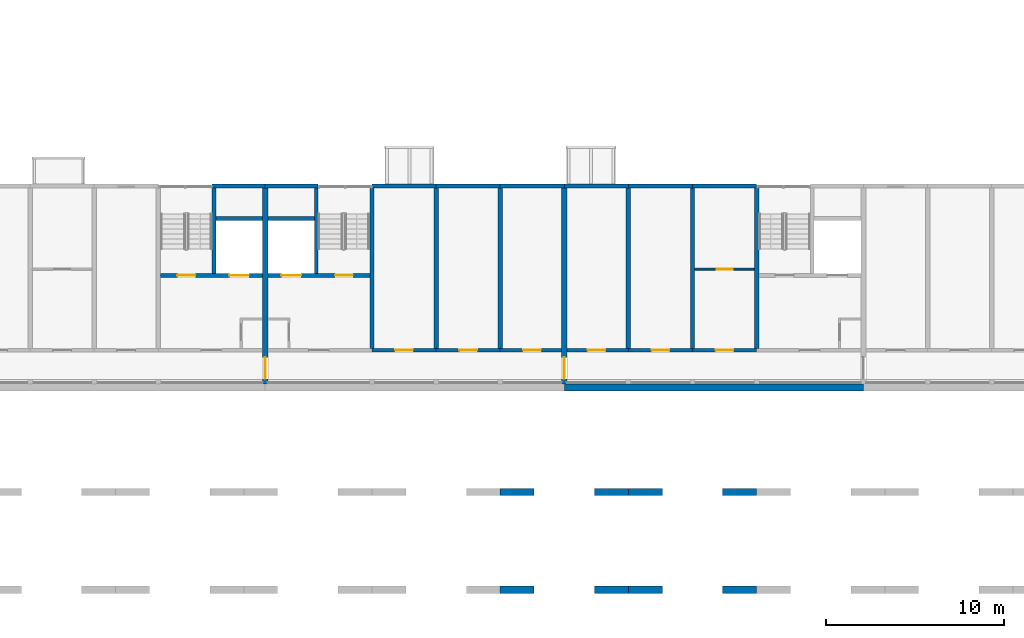
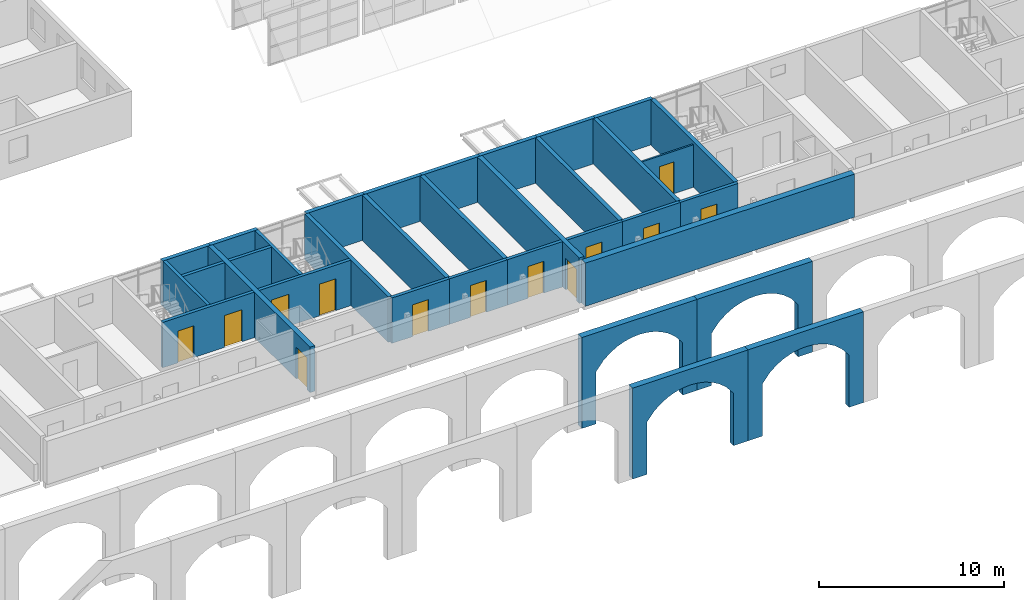
# One storey, part 69 of 122: 34 walls, 13 doors, 13 openings.
"""IFC4 building model written with IfcOpenShell, lengths in metres."""

import ifcopenshell
import ifcopenshell.guid

model = None  # the IFC model being written
_history = None  # IfcOwnerHistory: only IFC2X3 demands one
_inside = {}  # id of a spatial element -> (the spatial element, [elements in it])
_under = {}  # id of a project, library or spatial element -> (it, [spatial elements below it])
_declared = {}  # id of a project -> (the project, [libraries it declares])
_typed = {}  # id of a type object -> (the type object, [elements of that type])
_made_of = {}  # id of a material, layer set ... -> (it, [elements and type objects made of it])


def new_model(schema):
    """Start an empty IFC model of exactly this schema.

    Asked for "IFC4X3", IfcOpenShell would pick the latest addendum, in which some entities
    have other attributes; the version numbers below select the first issue.
    IFC2X3 requires an IfcOwnerHistory on every rooted entity: one is made here for all.
    """
    global model, _history
    if schema == "IFC4X3":
        model = ifcopenshell.file(schema_version=(4, 3, 0, 0))
    else:
        model = ifcopenshell.file(schema=schema)
    _inside.clear()
    _under.clear()
    _declared.clear()
    _typed.clear()
    _made_of.clear()
    _history = None
    if model.schema == "IFC2X3":
        org = make("IfcOrganization", Name="unknown")
        user = make(
            "IfcPersonAndOrganization",
            ThePerson=make("IfcPerson", FamilyName="unknown"),
            TheOrganization=org,
        )
        app = make(
            "IfcApplication",
            ApplicationDeveloper=org,
            Version="unknown",
            ApplicationFullName="unknown",
            ApplicationIdentifier="unknown",
        )
        _history = make(
            "IfcOwnerHistory",
            OwningUser=user,
            OwningApplication=app,
            ChangeAction="ADDED",
            CreationDate=0,
        )
    return model


def make(cls, **values):
    """One entity of the class cls with the attributes given. An attribute that is None is left unset."""
    return model.create_entity(
        cls, **{name: value for name, value in values.items() if value is not None}
    )


def rooted(cls, **values):
    """An entity with a GlobalId (a new one), such as an element, a storey or a relation."""
    return make(cls, GlobalId=ifcopenshell.guid.new(), OwnerHistory=_history, **values)


def si_unit(unit_type, name, prefix=None):
    """IfcSIUnit, for example si_unit("LENGTHUNIT", "METRE", prefix="MILLI")."""
    return make("IfcSIUnit", UnitType=unit_type, Prefix=prefix, Name=name)


def assignment(units):
    """IfcUnitAssignment: the units of a project."""
    return None if units is None else make("IfcUnitAssignment", Units=units)


def point(xyz):
    """IfcCartesianPoint."""
    return None if xyz is None else make("IfcCartesianPoint", Coordinates=xyz)


def direction(xyz):
    """IfcDirection."""
    return None if xyz is None else make("IfcDirection", DirectionRatios=xyz)


def frame(location, z_axis=None, x_axis=None):
    """IfcAxis2Placement3D, a coordinate frame: its origin and axes. An axis left out is left unset."""
    return make(
        "IfcAxis2Placement3D",
        Location=point(location),
        Axis=direction(z_axis),
        RefDirection=direction(x_axis),
    )


def frame_2d(location, x_axis=None):
    """IfcAxis2Placement2D, a coordinate frame in the plane: its origin and x axis."""
    return make(
        "IfcAxis2Placement2D", Location=point(location), RefDirection=direction(x_axis)
    )


def origin():
    """The frame at (0, 0, 0) with its axes left unset."""
    return frame((0.0, 0.0, 0.0))


def place(relative_to, where):
    """IfcLocalPlacement: puts the frame where relative to a parent placement (None: the world)."""
    return make(
        "IfcLocalPlacement", PlacementRelTo=relative_to, RelativePlacement=where
    )


def context(
    kind, dimensions, precision=None, world=None, true_north=None, identifier=None
):
    """IfcGeometricRepresentationContext, for example the 3D "Model" context."""
    return make(
        "IfcGeometricRepresentationContext",
        ContextIdentifier=identifier,
        ContextType=kind,
        CoordinateSpaceDimension=dimensions,
        Precision=precision,
        WorldCoordinateSystem=world,
        TrueNorth=true_north,
    )


def subcontext(parent, identifier, kind, view, scale=None):
    """IfcGeometricRepresentationSubContext, for example "Body" below "Model"."""
    return make(
        "IfcGeometricRepresentationSubContext",
        ContextIdentifier=identifier,
        ContextType=kind,
        ParentContext=parent,
        TargetScale=scale,
        TargetView=view,
    )


def project(units=None, contexts=None):
    """IfcProject with its units and contexts."""
    return rooted(
        "IfcProject",
        Name="project",
        RepresentationContexts=contexts,
        UnitsInContext=assignment(units),
    )


def spatial(cls, under=None, at=None, **own):
    """A site, building, storey or space (cls), placed at a placement, below another one or the project."""
    s = rooted(cls, ObjectPlacement=at, **own)
    if under is not None:
        _under.setdefault(under.id(), (under, []))[1].append(s)
    return s


def polyline(points):
    """IfcPolyline through the points."""
    return make("IfcPolyline", Points=[point(p) for p in points])


def profile(cls, at=None, kind="AREA", **sizes):
    """A parametric profile (cls). Its sizes go by their IFC names, for example OverallWidth=200.0."""
    return make(cls, ProfileType=kind, Position=at, **sizes)


def rectangle(**sizes):
    """IfcRectangleProfileDef."""
    return profile("IfcRectangleProfileDef", **sizes)


def outline(outer, holes=None, kind="AREA"):
    """IfcArbitraryClosedProfileDef: a profile drawn as a closed curve; with holes, ...WithVoids."""
    if holes is None:
        return make("IfcArbitraryClosedProfileDef", ProfileType=kind, OuterCurve=outer)
    return make(
        "IfcArbitraryProfileDefWithVoids",
        ProfileType=kind,
        OuterCurve=outer,
        InnerCurves=holes,
    )


def extrude(swept, where, along, depth):
    """IfcExtrudedAreaSolid: the profile swept, set in the frame where, extruded along a direction by depth."""
    return make(
        "IfcExtrudedAreaSolid",
        SweptArea=swept,
        Position=where,
        ExtrudedDirection=direction(along),
        Depth=depth,
    )


def shape(context_of_items, identifier, shape_type, items):
    """IfcShapeRepresentation: the items that make up one representation, for example the "Body"."""
    return make(
        "IfcShapeRepresentation",
        ContextOfItems=context_of_items,
        RepresentationIdentifier=identifier,
        RepresentationType=shape_type,
        Items=items,
    )


def material(Name=None, Category=None):
    """IfcMaterial."""
    return make("IfcMaterial", Name=Name, Category=Category)


def layer(
    of_material, thickness, ventilated=None, Name=None, Category=None, Priority=None
):
    """IfcMaterialLayer: one layer of a wall or slab, of a material (None: an air gap)."""
    return make(
        "IfcMaterialLayer",
        Material=of_material,
        LayerThickness=thickness,
        IsVentilated=ventilated,
        Name=Name,
        Category=Category,
        Priority=Priority,
    )


def layer_set(layers, Name=None):
    """IfcMaterialLayerSet."""
    return make("IfcMaterialLayerSet", MaterialLayers=layers, LayerSetName=Name)


def made_of(thing, what):
    """Note that an element or type object is made of a material, layer set ...; save() writes the relation."""
    if what is not None:
        _made_of.setdefault(what.id(), (what, []))[1].append(thing)
    return thing


def type_object(cls, material=None, **own):
    """A type object (cls), such as IfcWallType, which elements share."""
    return made_of(rooted(cls, **own), material)


def element(
    cls,
    number,
    at=None,
    inside=None,
    cuts=None,
    type_object=None,
    material=None,
    context=None,
    identifier="Body",
    shape_type=None,
    held_by="IfcProductDefinitionShape",
    body=None,
    shapes=None,
    **own,
):
    """One element of the class cls, such as IfcWall. Its Tag is "e" and its number.

    at: its placement. inside: the storey or other place that contains it. cuts: it is an
    opening in that element (IfcRelVoidsElement). A single representation is given by context,
    identifier, shape_type and body (its items); several are given by shapes. held_by: the class
    of the entity that holds the representations. save() writes the other relations.
    """
    e = rooted(cls, Tag="e%d" % number, ObjectPlacement=at, **own)
    if body is not None:
        shapes = [shape(context, identifier, shape_type, body)]
    if shapes is not None:
        e.Representation = make(held_by, Representations=shapes)
    if inside is not None:
        _inside.setdefault(inside.id(), (inside, []))[1].append(e)
    if cuts is not None:
        rooted(
            "IfcRelVoidsElement", RelatingBuildingElement=cuts, RelatedOpeningElement=e
        )
    if type_object is not None:
        _typed.setdefault(type_object.id(), (type_object, []))[1].append(e)
    return made_of(e, material)


def fill(opening, filler):
    """IfcRelFillsElement: the door or window that sits in an opening."""
    return rooted(
        "IfcRelFillsElement",
        RelatingOpeningElement=opening,
        RelatedBuildingElement=filler,
    )


def aggregate(whole, parts):
    """IfcRelAggregates: a whole, such as a stair, and the parts it consists of."""
    return rooted("IfcRelAggregates", RelatingObject=whole, RelatedObjects=parts)


def save(model, path):
    """Write the relations noted so far, then the file.

    IfcRelAggregates (storeys below a building ...), IfcRelContainedInSpatialStructure (elements
    in a storey), IfcRelDefinesByType, IfcRelAssociatesMaterial and IfcRelDeclares: one each for
    every whole, place, type object, material and project.
    """
    for whole, parts in _under.values():
        aggregate(whole, parts)
    for where, things in _inside.values():
        rooted(
            "IfcRelContainedInSpatialStructure",
            RelatedElements=things,
            RelatingStructure=where,
        )
    for kind, things in _typed.values():
        rooted("IfcRelDefinesByType", RelatedObjects=things, RelatingType=kind)
    for what, things in _made_of.values():
        rooted("IfcRelAssociatesMaterial", RelatedObjects=things, RelatingMaterial=what)
    for by, libraries in _declared.values():
        rooted("IfcRelDeclares", RelatingContext=by, RelatedDefinitions=libraries)
    model.write(path)


model = new_model("IFC4")

# Units and contexts
model_context = context("Model", 3, precision=1e-05, world=origin(), true_north=direction((0.0, 1.0)))
body_context = subcontext(model_context, "Body", "Model", "MODEL_VIEW")
ifc_project = project(units=[si_unit("LENGTHUNIT", "METRE"), si_unit("AREAUNIT", "SQUARE_METRE"), si_unit("VOLUMEUNIT", "CUBIC_METRE"), si_unit("PLANEANGLEUNIT", "RADIAN"), si_unit("MASSUNIT", "GRAM", prefix="KILO")], contexts=[model_context])

# Site, building, storey
site_placement = place(None, origin())
site = spatial("IfcSite", under=ifc_project, at=site_placement, CompositionType="ELEMENT")
building_placement = place(site_placement, origin())
building = spatial("IfcBuilding", under=site, at=building_placement, Name="Ridgestep Commons", CompositionType="ELEMENT")
storey_placement = place(building_placement, frame((0.0, 0.0, 3.0)))
storey = spatial("IfcBuildingStorey", under=building, at=storey_placement, Name="L01", CompositionType="ELEMENT", Elevation=3.0)

# Walls
ifc_material_1 = material(Name="Precast concrete C40/50", Category="concrete")
ifc_layer_1 = layer(ifc_material_1, 0.39990234375)
ifc_layer_set_1 = layer_set([ifc_layer_1], Name="Community south arcade inner wall 400")
wall_type_1 = type_object("IfcWallType", Name="Community south arcade inner wall 400", PredefinedType="SOLIDWALL", material=ifc_layer_set_1)
wall_1_placement = place(storey_placement, frame((176.800048828125, 5.5, -3.25), z_axis=(0.0, -1.0, 0.0), x_axis=(1.0, 0.0, 0.0)))
element("IfcWall", 1, at=wall_1_placement, inside=storey, type_object=wall_type_1, Name="South arcade inner wall", PredefinedType="SOLIDWALL", context=body_context, shape_type="SweptSolid", body=[
    extrude(outline(polyline([(0.0, 0.0), (0.89990234375, 0.0), (0.89990234375, 3.449951171875), (1.349853515625, 4.01708984375), (1.800048828125, 4.3916015625), (2.25, 4.649169921875), (2.699951171875, 4.820068359375), (3.14990234375, 4.91796875), (3.599853515625, 4.949951171875), (4.050048828125, 4.91796875), (4.5, 4.820068359375), (4.949951171875, 4.649169921875), (5.39990234375, 4.3916015625), (5.849853515625, 4.01708984375), (6.300048828125, 3.449951171875), (6.300048828125, 0.0), (7.199951171875, 0.0), (7.199951171875, 6.0), (0.0, 6.0), (0.0, 0.0)])), origin(), (0.0, 0.0, -1.0), 0.39990234375),
])
wall_2_placement = place(storey_placement, frame((184.0, 5.5, -3.25), z_axis=(0.0, -1.0, 0.0), x_axis=(1.0, 0.0, 0.0)))
element("IfcWall", 2, at=wall_2_placement, inside=storey, type_object=wall_type_1, Name="South arcade inner wall", PredefinedType="SOLIDWALL", context=body_context, shape_type="SweptSolid", body=[
    extrude(outline(polyline([(0.0, 0.0), (0.89990234375, 0.0), (0.89990234375, 3.449951171875), (1.35009765625, 4.01708984375), (1.800048828125, 4.3916015625), (2.25, 4.649169921875), (2.699951171875, 4.820068359375), (3.14990234375, 4.91796875), (3.60009765625, 4.949951171875), (4.050048828125, 4.91796875), (4.5, 4.820068359375), (4.949951171875, 4.649169921875), (5.39990234375, 4.3916015625), (5.85009765625, 4.01708984375), (6.300048828125, 3.449951171875), (6.300048828125, 0.0), (7.199951171875, 0.0), (7.199951171875, 6.0), (0.0, 6.0), (0.0, 0.0)])), origin(), (0.0, 0.0, -1.0), 0.39990234375),
])
ifc_material_2 = material(Name="Precast concrete C40/50", Category="concrete")
ifc_layer_2 = layer(ifc_material_2, 0.39990234375)
ifc_layer_set_2 = layer_set([ifc_layer_2], Name="Community south arcade wall 400")
wall_type_2 = type_object("IfcWallType", Name="Community south arcade wall 400", PredefinedType="SOLIDWALL", material=ifc_layer_set_2)
wall_3_placement = place(storey_placement, frame((176.800048828125, 0.001953125, -3.25), z_axis=(0.0, -1.0, 0.0), x_axis=(1.0, 0.0, 0.0)))
element("IfcWall", 3, at=wall_3_placement, inside=storey, type_object=wall_type_2, Name="South arcade wall", PredefinedType="SOLIDWALL", context=body_context, shape_type="SweptSolid", body=[
    extrude(outline(polyline([(0.0, 0.0), (0.89990234375, 0.0), (0.89990234375, 3.449951171875), (1.349853515625, 4.01708984375), (1.800048828125, 4.3916015625), (2.25, 4.649169921875), (2.699951171875, 4.820068359375), (3.14990234375, 4.91796875), (3.599853515625, 4.949951171875), (4.050048828125, 4.91796875), (4.5, 4.820068359375), (4.949951171875, 4.649169921875), (5.39990234375, 4.3916015625), (5.849853515625, 4.01708984375), (6.300048828125, 3.449951171875), (6.300048828125, 0.0), (7.199951171875, 0.0), (7.199951171875, 6.0), (0.0, 6.0), (0.0, 0.0)])), origin(), (0.0, 0.0, -1.0), 0.39990234375),
])
wall_4_placement = place(storey_placement, frame((184.0, 0.001953125, -3.25), z_axis=(0.0, -1.0, 0.0), x_axis=(1.0, 0.0, 0.0)))
element("IfcWall", 4, at=wall_4_placement, inside=storey, type_object=wall_type_2, Name="South arcade wall", PredefinedType="SOLIDWALL", context=body_context, shape_type="SweptSolid", body=[
    extrude(outline(polyline([(0.0, 0.0), (0.89990234375, 0.0), (0.89990234375, 3.449951171875), (1.35009765625, 4.01708984375), (1.800048828125, 4.3916015625), (2.25, 4.649169921875), (2.699951171875, 4.820068359375), (3.14990234375, 4.91796875), (3.60009765625, 4.949951171875), (4.050048828125, 4.91796875), (4.5, 4.820068359375), (4.949951171875, 4.649169921875), (5.39990234375, 4.3916015625), (5.85009765625, 4.01708984375), (6.300048828125, 3.449951171875), (6.300048828125, 0.0), (7.199951171875, 0.0), (7.199951171875, 6.0), (0.0, 6.0), (0.0, 0.0)])), origin(), (0.0, 0.0, -1.0), 0.39990234375),
])
ifc_material_3 = material(Name="Concrete C30/37", Category="concrete")
ifc_layer_3 = layer(ifc_material_3, 0.25)
ifc_layer_set_3 = layer_set([ifc_layer_3], Name="Core cross wall 250")
wall_type_3 = type_object("IfcWallType", Name="Core cross wall 250", PredefinedType="SHEAR", material=ifc_layer_set_3)
for number, where, z_axis, x_axis, name in (
    (5, (169.60009765625, 13.75, 0.0), (0.0, 0.0, 1.0), (0.0, 1.0, 0.0), "Cross wall D-01-1696"),
    (6, (191.199951171875, 13.75, 0.0), (0.0, 0.0, 1.0), (0.0, 1.0, 0.0), "Cross wall D-01-1912"),
):
    element("IfcWall", number, at=place(storey_placement, frame(where, z_axis=z_axis, x_axis=x_axis)), inside=storey, type_object=wall_type_3, Name=name, PredefinedType="SHEAR", context=body_context, shape_type="SweptSolid", body=[
        extrude(rectangle(XDim=9.0, YDim=0.25, at=frame_2d((4.5, 0.0))), origin(), (0.0, 0.0, 1.0), 3.0),
    ])

# Wall, openings, doors
ifc_material_4 = material(Name="Concrete C30/37", Category="concrete")
ifc_layer_4 = layer(ifc_material_4, 0.199951171875)
ifc_layer_set_4 = layer_set([ifc_layer_4], Name="Core wall 200")
wall_type_4 = type_object("IfcWallType", Name="Core wall 200", PredefinedType="SHEAR", material=ifc_layer_set_4)
wall_5_placement = place(storey_placement, frame((157.72509765625, 17.85009765625, 0.0), z_axis=(0.0, 0.0, 1.0), x_axis=(1.0, 0.0, 0.0)))
wall_5 = element("IfcWall", 7, at=wall_5_placement, inside=storey, type_object=wall_type_4, Name="Core lobby wall D1C L01", PredefinedType="SHEAR", context=body_context, shape_type="SweptSolid", body=[
    extrude(rectangle(XDim=5.724853515625, YDim=0.199951171875, at=frame_2d((2.8623046875, 0.0))), origin(), (0.0, 0.0, 1.0), 3.0),
])
opening_1_placement = place(wall_5_placement, frame((0.949951171875, 0.0, 0.0)))
opening_1 = element("IfcOpeningElement", 8, at=opening_1_placement, cuts=wall_5, Name="Opening D1C/01/2", PredefinedType="OPENING", context=body_context, shape_type="SweptSolid", body=[
    extrude(rectangle(XDim=1.0, YDim=2.10009765625, at=frame_2d((0.5, 1.050048828125))), frame((0.0, 0.10986328125, 0.0), z_axis=(0.0, -1.0, 0.0), x_axis=(1.0, 0.0, 0.0)), (0.0, 0.0, 1.0), 0.219970703125),
])
opening_2_placement = place(wall_5_placement, frame((3.862548828125, 0.0, 0.0)))
opening_2 = element("IfcOpeningElement", 9, at=opening_2_placement, cuts=wall_5, Name="Opening D1C/01/3", PredefinedType="OPENING", context=body_context, shape_type="SweptSolid", body=[
    extrude(rectangle(XDim=1.10009765625, YDim=2.10009765625, at=frame_2d((0.550048828125, 1.050048828125))), frame((0.0, 0.10986328125, 0.0), z_axis=(0.0, -1.0, 0.0), x_axis=(1.0, 0.0, 0.0)), (0.0, 0.0, 1.0), 0.219970703125),
])
ifc_material_5 = material(Name="Stainless steel", Category="steel")
door_type_1 = type_object("IfcDoorType", Name="Lift landing door 1100 x 2100 FD60", OperationType="DOUBLE_DOOR_SLIDING", PredefinedType="DOOR", material=ifc_material_5)
door_1_placement = place(opening_2_placement, origin())
door_1 = element("IfcDoor", 10, at=door_1_placement, inside=storey, type_object=door_type_1, Name="Landing door LD D1C L01", OperationType="DOUBLE_DOOR_SLIDING", OverallHeight=2.10009765625, OverallWidth=1.10009765625, PredefinedType="DOOR", context=body_context, shape_type="SweptSolid", body=[
    extrude(rectangle(XDim=1.10009765625, YDim=2.10009765625, at=frame_2d((0.550048828125, 1.050048828125))), frame((0.0, 0.02490234375, 0.0), z_axis=(0.0, -1.0, 0.0), x_axis=(1.0, 0.0, 0.0)), (0.0, 0.0, 1.0), 0.050048828125),
])
fill(opening_2, door_1)
ifc_material_6 = material(Name="Steel fire door", Category="steel")
door_type_2 = type_object("IfcDoorType", Name="Stair door 1000 x 2100 FD60", OperationType="NOTDEFINED", PredefinedType="DOOR", material=ifc_material_6)
door_2_placement = place(opening_1_placement, origin())
door_2 = element("IfcDoor", 11, at=door_2_placement, inside=storey, type_object=door_type_2, Name="Stair door D1C/01/2", OperationType="SINGLE_SWING_RIGHT", OverallHeight=2.10009765625, OverallWidth=1.0, PredefinedType="DOOR", context=body_context, shape_type="SweptSolid", body=[
    extrude(rectangle(XDim=1.0, YDim=2.10009765625, at=frame_2d((0.5, 1.050048828125))), frame((0.0, 0.02490234375, 0.0), z_axis=(0.0, -1.0, 0.0), x_axis=(1.0, 0.0, 0.0)), (0.0, 0.0, 1.0), 0.050048828125),
])
fill(opening_1, door_2)

# Walls
wall_6_placement = place(storey_placement, frame((160.72509765625, 17.949951171875, 0.0), z_axis=(0.0, 0.0, 1.0), x_axis=(0.0, 1.0, 0.0)))
element("IfcWall", 12, at=wall_6_placement, inside=storey, type_object=wall_type_4, Name="Core stair wall D1C L01", PredefinedType="SHEAR", context=body_context, shape_type="SweptSolid", body=[
    extrude(rectangle(XDim=4.800048828125, YDim=0.199951171875, at=frame_2d((2.39990234375, 0.0))), origin(), (0.0, 0.0, 1.0), 3.0),
])
wall_7_placement = place(storey_placement, frame((160.824951171875, 21.050048828125, 0.0), z_axis=(0.0, 0.0, 1.0), x_axis=(1.0, 0.0, 0.0)))
element("IfcWall", 13, at=wall_7_placement, inside=storey, type_object=wall_type_4, Name="Core duct wall D1C L01", PredefinedType="SHEAR", context=body_context, shape_type="SweptSolid", body=[
    extrude(rectangle(XDim=2.625, YDim=0.199951171875, at=frame_2d((1.3125, 0.0))), origin(), (0.0, 0.0, 1.0), 3.0),
])

# Wall, openings, doors
wall_8_placement = place(storey_placement, frame((163.75, 17.85009765625, 0.0), z_axis=(0.0, 0.0, 1.0), x_axis=(1.0, 0.0, 0.0)))
wall_8 = element("IfcWall", 14, at=wall_8_placement, inside=storey, type_object=wall_type_4, Name="Core lobby wall D2C L01", PredefinedType="SHEAR", context=body_context, shape_type="SweptSolid", body=[
    extrude(rectangle(XDim=5.72509765625, YDim=0.199951171875, at=frame_2d((2.862548828125, 0.0))), origin(), (0.0, 0.0, 1.0), 3.0),
])
opening_3_placement = place(wall_8_placement, frame((3.77490234375, 0.0, 0.0)))
opening_3 = element("IfcOpeningElement", 15, at=opening_3_placement, cuts=wall_8, Name="Opening D2C/01/2", PredefinedType="OPENING", context=body_context, shape_type="SweptSolid", body=[
    extrude(rectangle(XDim=1.0, YDim=2.10009765625, at=frame_2d((0.5, 1.050048828125))), frame((0.0, 0.10986328125, 0.0), z_axis=(0.0, -1.0, 0.0), x_axis=(1.0, 0.0, 0.0)), (0.0, 0.0, 1.0), 0.219970703125),
])
opening_4_placement = place(wall_8_placement, frame((0.762451171875, 0.0, 0.0)))
opening_4 = element("IfcOpeningElement", 16, at=opening_4_placement, cuts=wall_8, Name="Opening D2C/01/3", PredefinedType="OPENING", context=body_context, shape_type="SweptSolid", body=[
    extrude(rectangle(XDim=1.10009765625, YDim=2.10009765625, at=frame_2d((0.550048828125, 1.050048828125))), frame((0.0, 0.10986328125, 0.0), z_axis=(0.0, -1.0, 0.0), x_axis=(1.0, 0.0, 0.0)), (0.0, 0.0, 1.0), 0.219970703125),
])
door_3_placement = place(opening_4_placement, origin())
door_3 = element("IfcDoor", 17, at=door_3_placement, inside=storey, type_object=door_type_1, Name="Landing door LD D2C L01", OperationType="DOUBLE_DOOR_SLIDING", OverallHeight=2.10009765625, OverallWidth=1.10009765625, PredefinedType="DOOR", context=body_context, shape_type="SweptSolid", body=[
    extrude(rectangle(XDim=1.10009765625, YDim=2.10009765625, at=frame_2d((0.550048828125, 1.050048828125))), frame((0.0, 0.02490234375, 0.0), z_axis=(0.0, -1.0, 0.0), x_axis=(1.0, 0.0, 0.0)), (0.0, 0.0, 1.0), 0.050048828125),
])
fill(opening_4, door_3)
door_4_placement = place(opening_3_placement, origin())
door_4 = element("IfcDoor", 18, at=door_4_placement, inside=storey, type_object=door_type_2, Name="Stair door D2C/01/2", OperationType="SINGLE_SWING_RIGHT", OverallHeight=2.10009765625, OverallWidth=1.0, PredefinedType="DOOR", context=body_context, shape_type="SweptSolid", body=[
    extrude(rectangle(XDim=1.0, YDim=2.10009765625, at=frame_2d((0.5, 1.050048828125))), frame((0.0, 0.02490234375, 0.0), z_axis=(0.0, -1.0, 0.0), x_axis=(1.0, 0.0, 0.0)), (0.0, 0.0, 1.0), 0.050048828125),
])
fill(opening_3, door_4)

# Walls
wall_9_placement = place(storey_placement, frame((166.47509765625, 17.949951171875, 0.0), z_axis=(0.0, 0.0, 1.0), x_axis=(0.0, 1.0, 0.0)))
element("IfcWall", 19, at=wall_9_placement, inside=storey, type_object=wall_type_4, Name="Core stair wall D2C L01", PredefinedType="SHEAR", context=body_context, shape_type="SweptSolid", body=[
    extrude(rectangle(XDim=4.800048828125, YDim=0.199951171875, at=frame_2d((2.39990234375, 0.0))), origin(), (0.0, 0.0, 1.0), 3.0),
])
wall_10_placement = place(storey_placement, frame((163.75, 21.050048828125, 0.0), z_axis=(0.0, 0.0, 1.0), x_axis=(1.0, 0.0, 0.0)))
element("IfcWall", 20, at=wall_10_placement, inside=storey, type_object=wall_type_4, Name="Core duct wall D2C L01", PredefinedType="SHEAR", context=body_context, shape_type="SweptSolid", body=[
    extrude(rectangle(XDim=2.625, YDim=0.199951171875, at=frame_2d((1.3125, 0.0))), origin(), (0.0, 0.0, 1.0), 3.0),
])
ifc_material_7 = material(Name="Precast concrete C40/50", Category="concrete")
ifc_layer_5 = layer(ifc_material_7, 0.25)
ifc_layer_set_5 = layer_set([ifc_layer_5], Name="Cross wall 250")
wall_type_5 = type_object("IfcWallType", Name="Cross wall 250", PredefinedType="SHEAR", material=ifc_layer_set_5)
for number, where, z_axis, x_axis, name in (
    (21, (173.199951171875, 13.75, 0.0), (0.0, 0.0, 1.0), (0.0, 1.0, 0.0), "Cross wall D-01-1732"),
    (22, (176.800048828125, 13.75, 0.0), (0.0, 0.0, 1.0), (0.0, 1.0, 0.0), "Cross wall D-01-1768"),
    (23, (184.0, 13.75, 0.0), (0.0, 0.0, 1.0), (0.0, 1.0, 0.0), "Cross wall D-01-1840"),
    (24, (187.60009765625, 13.75, 0.0), (0.0, 0.0, 1.0), (0.0, 1.0, 0.0), "Cross wall D-01-1876"),
):
    element("IfcWall", number, at=place(storey_placement, frame(where, z_axis=z_axis, x_axis=x_axis)), inside=storey, type_object=wall_type_5, Name=name, PredefinedType="SHEAR", context=body_context, shape_type="SweptSolid", body=[
        extrude(rectangle(XDim=9.0, YDim=0.25, at=frame_2d((4.5, 0.0))), origin(), (0.0, 0.0, 1.0), 3.0),
    ])

# Wall, opening, door
ifc_material_8 = material(Name="Precast concrete C40/50", Category="concrete")
ifc_layer_6 = layer(ifc_material_8, 0.300048828125)
ifc_layer_set_6 = layer_set([ifc_layer_6], Name="Division wall 300")
wall_type_6 = type_object("IfcWallType", Name="Division wall 300", PredefinedType="SHEAR", material=ifc_layer_set_6)
wall_11_placement = place(storey_placement, frame((163.60009765625, 11.75, 0.0), z_axis=(0.0, 0.0, 1.0), x_axis=(0.0, 1.0, 0.0)))
wall_11 = element("IfcWall", 25, at=wall_11_placement, inside=storey, type_object=wall_type_6, Name="Cross wall D-01-1636", PredefinedType="SHEAR", context=body_context, shape_type="SweptSolid", body=[
    extrude(rectangle(XDim=11.0, YDim=0.300048828125, at=frame_2d((5.5, 0.0))), origin(), (0.0, 0.0, 1.0), 3.0),
])
opening_5_placement = place(wall_11_placement, frame((0.300048828125, 0.0, 0.0)))
opening_5 = element("IfcOpeningElement", 26, at=opening_5_placement, cuts=wall_11, Name="Opening D/01/G1636", PredefinedType="OPENING", context=body_context, shape_type="SweptSolid", body=[
    extrude(rectangle(XDim=1.199951171875, YDim=2.10009765625, at=frame_2d((0.60009765625, 1.050048828125))), frame((0.0, 0.159912109375, 0.0), z_axis=(0.0, -1.0, 0.0), x_axis=(1.0, 0.0, 0.0)), (0.0, 0.0, 1.0), 0.320068359375),
])
ifc_material_9 = material(Name="Steel fire door", Category="steel")
door_type_3 = type_object("IfcDoorType", Name="Division fire door 1200 x 2100 EI 240", OperationType="DOUBLE_DOOR_SINGLE_SWING", PredefinedType="DOOR", material=ifc_material_9)
door_5_placement = place(opening_5_placement, origin())
door_5 = element("IfcDoor", 27, at=door_5_placement, inside=storey, type_object=door_type_3, Name="Division fire door D/01/G1636", OperationType="DOUBLE_DOOR_SINGLE_SWING", OverallHeight=2.10009765625, OverallWidth=1.199951171875, PredefinedType="DOOR", context=body_context, shape_type="SweptSolid", body=[
    extrude(rectangle(XDim=1.199951171875, YDim=2.10009765625, at=frame_2d((0.60009765625, 1.050048828125))), frame((0.0, 0.02490234375, 0.0), z_axis=(0.0, -1.0, 0.0), x_axis=(1.0, 0.0, 0.0)), (0.0, 0.0, 1.0), 0.050048828125),
])
fill(opening_5, door_5)

wall_12_placement = place(storey_placement, frame((180.39990234375, 11.75, 0.0), z_axis=(0.0, 0.0, 1.0), x_axis=(0.0, 1.0, 0.0)))
wall_12 = element("IfcWall", 28, at=wall_12_placement, inside=storey, type_object=wall_type_6, Name="Cross wall D-01-1804", PredefinedType="SHEAR", context=body_context, shape_type="SweptSolid", body=[
    extrude(rectangle(XDim=11.0, YDim=0.300048828125, at=frame_2d((5.5, 0.0))), origin(), (0.0, 0.0, 1.0), 3.0),
])
opening_6_placement = place(wall_12_placement, frame((0.300048828125, 0.0, 0.0)))
opening_6 = element("IfcOpeningElement", 29, at=opening_6_placement, cuts=wall_12, Name="Opening D/01/G1804", PredefinedType="OPENING", context=body_context, shape_type="SweptSolid", body=[
    extrude(rectangle(XDim=1.199951171875, YDim=2.10009765625, at=frame_2d((0.60009765625, 1.050048828125))), frame((0.0, 0.159912109375, 0.0), z_axis=(0.0, -1.0, 0.0), x_axis=(1.0, 0.0, 0.0)), (0.0, 0.0, 1.0), 0.320068359375),
])
door_6_placement = place(opening_6_placement, origin())
door_6 = element("IfcDoor", 30, at=door_6_placement, inside=storey, type_object=door_type_3, Name="Division fire door D/01/G1804", OperationType="DOUBLE_DOOR_SINGLE_SWING", OverallHeight=2.10009765625, OverallWidth=1.199951171875, PredefinedType="DOOR", context=body_context, shape_type="SweptSolid", body=[
    extrude(rectangle(XDim=1.199951171875, YDim=2.10009765625, at=frame_2d((0.60009765625, 1.050048828125))), frame((0.0, 0.02490234375, 0.0), z_axis=(0.0, -1.0, 0.0), x_axis=(1.0, 0.0, 0.0)), (0.0, 0.0, 1.0), 0.050048828125),
])
fill(opening_6, door_6)

# Walls
ifc_material_10 = material(Name="Precast concrete C40/50", Category="concrete")
ifc_layer_7 = layer(ifc_material_10, 0.25)
ifc_layer_set_7 = layer_set([ifc_layer_7], Name="North facade panel 250")
wall_type_7 = type_object("IfcWallType", Name="North facade panel 250", PredefinedType="SOLIDWALL", material=ifc_layer_set_7)
wall_13_placement = place(storey_placement, frame((160.625, 22.875, 0.0), z_axis=(0.0, 0.0, 1.0), x_axis=(1.0, 0.0, 0.0)))
element("IfcWall", 31, at=wall_13_placement, inside=storey, type_object=wall_type_7, Name="North panel D1C L01", PredefinedType="SOLIDWALL", context=body_context, shape_type="SweptSolid", body=[
    extrude(rectangle(XDim=2.97509765625, YDim=0.25, at=frame_2d((1.487548828125, 0.0))), origin(), (0.0, 0.0, 1.0), 3.0),
])
wall_14_placement = place(storey_placement, frame((163.60009765625, 22.875, 0.0), z_axis=(0.0, 0.0, 1.0), x_axis=(1.0, 0.0, 0.0)))
element("IfcWall", 32, at=wall_14_placement, inside=storey, type_object=wall_type_7, Name="North panel D2C L01", PredefinedType="SOLIDWALL", context=body_context, shape_type="SweptSolid", body=[
    extrude(rectangle(XDim=2.974853515625, YDim=0.25, at=frame_2d((1.4873046875, 0.0))), origin(), (0.0, 0.0, 1.0), 3.0),
])
wall_15_placement = place(storey_placement, frame((169.60009765625, 22.875, 0.0), z_axis=(0.0, 0.0, 1.0), x_axis=(1.0, 0.0, 0.0)))
element("IfcWall", 33, at=wall_15_placement, inside=storey, type_object=wall_type_7, Name="North panel D2T3 L01", PredefinedType="SOLIDWALL", context=body_context, shape_type="SweptSolid", body=[
    extrude(rectangle(XDim=3.599853515625, YDim=0.25, at=frame_2d((1.7998046875, 0.0))), origin(), (0.0, 0.0, 1.0), 3.0),
])
wall_16_placement = place(storey_placement, frame((173.199951171875, 22.875, 0.0), z_axis=(0.0, 0.0, 1.0), x_axis=(1.0, 0.0, 0.0)))
element("IfcWall", 34, at=wall_16_placement, inside=storey, type_object=wall_type_7, Name="North panel D2T2 L01", PredefinedType="SOLIDWALL", context=body_context, shape_type="SweptSolid", body=[
    extrude(rectangle(XDim=3.60009765625, YDim=0.25, at=frame_2d((1.800048828125, 0.0))), origin(), (0.0, 0.0, 1.0), 3.0),
])
wall_17_placement = place(storey_placement, frame((176.800048828125, 22.875, 0.0), z_axis=(0.0, 0.0, 1.0), x_axis=(1.0, 0.0, 0.0)))
element("IfcWall", 35, at=wall_17_placement, inside=storey, type_object=wall_type_7, Name="North panel D2T1 L01", PredefinedType="SOLIDWALL", context=body_context, shape_type="SweptSolid", body=[
    extrude(rectangle(XDim=3.599853515625, YDim=0.25, at=frame_2d((1.7998046875, 0.0))), origin(), (0.0, 0.0, 1.0), 3.0),
])
for number, where, z_axis, x_axis, name in (
    (36, (180.39990234375, 22.875, 0.0), (0.0, 0.0, 1.0), (1.0, 0.0, 0.0), "North panel D3T1 L01"),
    (37, (184.0, 22.875, 0.0), (0.0, 0.0, 1.0), (1.0, 0.0, 0.0), "North panel D3T2 L01"),
):
    element("IfcWall", number, at=place(storey_placement, frame(where, z_axis=z_axis, x_axis=x_axis)), inside=storey, type_object=wall_type_7, Name=name, PredefinedType="SOLIDWALL", context=body_context, shape_type="SweptSolid", body=[
        extrude(rectangle(XDim=3.60009765625, YDim=0.25, at=frame_2d((1.800048828125, 0.0))), origin(), (0.0, 0.0, 1.0), 3.0),
    ])
wall_18_placement = place(storey_placement, frame((187.60009765625, 22.875, 0.0), z_axis=(0.0, 0.0, 1.0), x_axis=(1.0, 0.0, 0.0)))
element("IfcWall", 38, at=wall_18_placement, inside=storey, type_object=wall_type_7, Name="North panel D3T3 L01", PredefinedType="SOLIDWALL", context=body_context, shape_type="SweptSolid", body=[
    extrude(rectangle(XDim=3.599853515625, YDim=0.25, at=frame_2d((1.7998046875, 0.0))), origin(), (0.0, 0.0, 1.0), 3.0),
])

# Wall, opening, door
ifc_material_11 = material(Name="Common brick 110 mm", Category="masonry")
ifc_layer_8 = layer(ifc_material_11, 0.110107421875)
ifc_layer_set_8 = layer_set([ifc_layer_8], Name="Partition 110")
wall_type_8 = type_object("IfcWallType", Name="Partition 110", PredefinedType="PARTITIONING", material=ifc_layer_set_8)
wall_19_placement = place(storey_placement, frame((187.72509765625, 18.205078125, 0.0), z_axis=(0.0, 0.0, 1.0), x_axis=(1.0, 0.0, 0.0)))
wall_19 = element("IfcWall", 39, at=wall_19_placement, inside=storey, type_object=wall_type_8, Name="Partition D3-01p", PredefinedType="PARTITIONING", context=body_context, shape_type="SweptSolid", body=[
    extrude(rectangle(XDim=3.349853515625, YDim=0.110107421875, at=frame_2d((1.6748046875, 0.0))), origin(), (0.0, 0.0, 1.0), 2.800048828125),
])
opening_7_placement = place(wall_19_placement, frame((1.22509765625, 0.0, 0.0)))
opening_7 = element("IfcOpeningElement", 40, at=opening_7_placement, cuts=wall_19, Name="Opening D3-01p/4", PredefinedType="OPENING", context=body_context, shape_type="SweptSolid", body=[
    extrude(rectangle(XDim=0.89990234375, YDim=2.10009765625, at=frame_2d((0.449951171875, 1.050048828125))), frame((0.0, 0.06494140625, 0.0), z_axis=(0.0, -1.0, 0.0), x_axis=(1.0, 0.0, 0.0)), (0.0, 0.0, 1.0), 0.130126953125),
])
ifc_material_12 = material(Name="Timber door leaf", Category="wood")
door_type_4 = type_object("IfcDoorType", Name="Internal door 900 x 2100", OperationType="NOTDEFINED", PredefinedType="DOOR", material=ifc_material_12)
door_7_placement = place(opening_7_placement, origin())
door_7 = element("IfcDoor", 41, at=door_7_placement, inside=storey, type_object=door_type_4, Name="Internal door D3-01p/4", OperationType="SINGLE_SWING_LEFT", OverallHeight=2.10009765625, OverallWidth=0.89990234375, PredefinedType="DOOR", context=body_context, shape_type="SweptSolid", body=[
    extrude(rectangle(XDim=0.89990234375, YDim=2.10009765625, at=frame_2d((0.449951171875, 1.050048828125))), frame((0.0, 0.02490234375, 0.0), z_axis=(0.0, -1.0, 0.0), x_axis=(1.0, 0.0, 0.0)), (0.0, 0.0, 1.0), 0.050048828125),
])
fill(opening_7, door_7)

# Wall
ifc_material_13 = material(Name="Concrete C30/37", Category="concrete")
ifc_layer_9 = layer(ifc_material_13, 0.39990234375)
ifc_layer_set_9 = layer_set([ifc_layer_9], Name="Plinth retaining wall 400")
wall_type_9 = type_object("IfcWallType", Name="Plinth retaining wall 400", PredefinedType="SOLIDWALL", material=ifc_layer_set_9)
wall_20_placement = place(storey_placement, frame((180.39990234375, 11.550048828125, 0.0), z_axis=(0.0, 0.0, 1.0), x_axis=(1.0, 0.0, 0.0)))
element("IfcWall", 42, at=wall_20_placement, inside=storey, type_object=wall_type_9, Name="Plinth retaining wall D3 L01", PredefinedType="SOLIDWALL", context=body_context, shape_type="SweptSolid", body=[
    extrude(rectangle(XDim=16.800048828125, YDim=0.39990234375, at=frame_2d((8.39990234375, 0.0))), origin(), (0.0, 0.0, 1.0), 2.85009765625),
])

# Wall, opening, door
ifc_material_14 = material(Name="Precast concrete C40/50", Category="concrete")
ifc_layer_10 = layer(ifc_material_14, 0.199951171875)
ifc_layer_set_10 = layer_set([ifc_layer_10], Name="South facade panel 200")
wall_type_10 = type_object("IfcWallType", Name="South facade panel 200", PredefinedType="SOLIDWALL", material=ifc_layer_set_10)
wall_21_placement = place(storey_placement, frame((169.60009765625, 13.64990234375, 0.0), z_axis=(0.0, 0.0, 1.0), x_axis=(1.0, 0.0, 0.0)))
wall_21 = element("IfcWall", 43, at=wall_21_placement, inside=storey, type_object=wall_type_10, Name="South panel D2T3 L01", PredefinedType="SOLIDWALL", context=body_context, shape_type="SweptSolid", body=[
    extrude(rectangle(XDim=3.599853515625, YDim=0.199951171875, at=frame_2d((1.7998046875, 0.0))), origin(), (0.0, 0.0, 1.0), 3.0),
])
opening_8_placement = place(wall_21_placement, frame((1.300048828125, 0.0, 0.0)))
opening_8 = element("IfcOpeningElement", 44, at=opening_8_placement, cuts=wall_21, Name="Opening D2-01p/1", PredefinedType="OPENING", context=body_context, shape_type="SweptSolid", body=[
    extrude(rectangle(XDim=1.0, YDim=2.10009765625, at=frame_2d((0.5, 1.050048828125))), frame((0.0, 0.10986328125, 0.0), z_axis=(0.0, -1.0, 0.0), x_axis=(1.0, 0.0, 0.0)), (0.0, 0.0, 1.0), 0.219970703125),
])
ifc_material_15 = material(Name="Steel door leaf", Category="steel")
door_type_5 = type_object("IfcDoorType", Name="Store door 1000 x 2100", OperationType="NOTDEFINED", PredefinedType="DOOR", material=ifc_material_15)
door_8_placement = place(opening_8_placement, origin())
door_8 = element("IfcDoor", 45, at=door_8_placement, inside=storey, type_object=door_type_5, Name="Store door D2-01p/1", OperationType="SINGLE_SWING_RIGHT", OverallHeight=2.10009765625, OverallWidth=1.0, PredefinedType="DOOR", context=body_context, shape_type="SweptSolid", body=[
    extrude(rectangle(XDim=1.0, YDim=2.10009765625, at=frame_2d((0.5, 1.050048828125))), frame((0.0, 0.02490234375, 0.0), z_axis=(0.0, -1.0, 0.0), x_axis=(1.0, 0.0, 0.0)), (0.0, 0.0, 1.0), 0.050048828125),
])
fill(opening_8, door_8)

wall_22_placement = place(storey_placement, frame((173.199951171875, 13.64990234375, 0.0), z_axis=(0.0, 0.0, 1.0), x_axis=(1.0, 0.0, 0.0)))
wall_22 = element("IfcWall", 46, at=wall_22_placement, inside=storey, type_object=wall_type_10, Name="South panel D2T2 L01", PredefinedType="SOLIDWALL", context=body_context, shape_type="SweptSolid", body=[
    extrude(rectangle(XDim=3.60009765625, YDim=0.199951171875, at=frame_2d((1.800048828125, 0.0))), origin(), (0.0, 0.0, 1.0), 3.0),
])
opening_9_placement = place(wall_22_placement, frame((1.300048828125, 0.0, 0.0)))
opening_9 = element("IfcOpeningElement", 47, at=opening_9_placement, cuts=wall_22, Name="Opening D2-01p/2", PredefinedType="OPENING", context=body_context, shape_type="SweptSolid", body=[
    extrude(rectangle(XDim=1.0, YDim=2.10009765625, at=frame_2d((0.5, 1.050048828125))), frame((0.0, 0.10986328125, 0.0), z_axis=(0.0, -1.0, 0.0), x_axis=(1.0, 0.0, 0.0)), (0.0, 0.0, 1.0), 0.219970703125),
])
door_9_placement = place(opening_9_placement, origin())
door_9 = element("IfcDoor", 48, at=door_9_placement, inside=storey, type_object=door_type_5, Name="Store door D2-01p/2", OperationType="SINGLE_SWING_RIGHT", OverallHeight=2.10009765625, OverallWidth=1.0, PredefinedType="DOOR", context=body_context, shape_type="SweptSolid", body=[
    extrude(rectangle(XDim=1.0, YDim=2.10009765625, at=frame_2d((0.5, 1.050048828125))), frame((0.0, 0.02490234375, 0.0), z_axis=(0.0, -1.0, 0.0), x_axis=(1.0, 0.0, 0.0)), (0.0, 0.0, 1.0), 0.050048828125),
])
fill(opening_9, door_9)

wall_23_placement = place(storey_placement, frame((176.800048828125, 13.64990234375, 0.0), z_axis=(0.0, 0.0, 1.0), x_axis=(1.0, 0.0, 0.0)))
wall_23 = element("IfcWall", 49, at=wall_23_placement, inside=storey, type_object=wall_type_10, Name="South panel D2T1 L01", PredefinedType="SOLIDWALL", context=body_context, shape_type="SweptSolid", body=[
    extrude(rectangle(XDim=3.449951171875, YDim=0.199951171875, at=frame_2d((1.72509765625, 0.0))), origin(), (0.0, 0.0, 1.0), 3.0),
])
opening_10_placement = place(wall_23_placement, frame((1.28759765625, 0.0, 0.0)))
opening_10 = element("IfcOpeningElement", 50, at=opening_10_placement, cuts=wall_23, Name="Opening D2-01p/3", PredefinedType="OPENING", context=body_context, shape_type="SweptSolid", body=[
    extrude(rectangle(XDim=1.0, YDim=2.10009765625, at=frame_2d((0.5, 1.050048828125))), frame((0.0, 0.10986328125, 0.0), z_axis=(0.0, -1.0, 0.0), x_axis=(1.0, 0.0, 0.0)), (0.0, 0.0, 1.0), 0.219970703125),
])
door_10_placement = place(opening_10_placement, origin())
door_10 = element("IfcDoor", 51, at=door_10_placement, inside=storey, type_object=door_type_5, Name="Store door D2-01p/3", OperationType="SINGLE_SWING_RIGHT", OverallHeight=2.10009765625, OverallWidth=1.0, PredefinedType="DOOR", context=body_context, shape_type="SweptSolid", body=[
    extrude(rectangle(XDim=1.0, YDim=2.10009765625, at=frame_2d((0.5, 1.050048828125))), frame((0.0, 0.02490234375, 0.0), z_axis=(0.0, -1.0, 0.0), x_axis=(1.0, 0.0, 0.0)), (0.0, 0.0, 1.0), 0.050048828125),
])
fill(opening_10, door_10)

wall_24_placement = place(storey_placement, frame((180.550048828125, 13.64990234375, 0.0), z_axis=(0.0, 0.0, 1.0), x_axis=(1.0, 0.0, 0.0)))
wall_24 = element("IfcWall", 52, at=wall_24_placement, inside=storey, type_object=wall_type_10, Name="South panel D3T1 L01", PredefinedType="SOLIDWALL", context=body_context, shape_type="SweptSolid", body=[
    extrude(rectangle(XDim=3.449951171875, YDim=0.199951171875, at=frame_2d((1.72509765625, 0.0))), origin(), (0.0, 0.0, 1.0), 3.0),
])
opening_11_placement = place(wall_24_placement, frame((1.16259765625, 0.0, 0.0)))
opening_11 = element("IfcOpeningElement", 53, at=opening_11_placement, cuts=wall_24, Name="Opening D3-01p/1", PredefinedType="OPENING", context=body_context, shape_type="SweptSolid", body=[
    extrude(rectangle(XDim=1.0, YDim=2.10009765625, at=frame_2d((0.5, 1.050048828125))), frame((0.0, 0.10986328125, 0.0), z_axis=(0.0, -1.0, 0.0), x_axis=(1.0, 0.0, 0.0)), (0.0, 0.0, 1.0), 0.219970703125),
])
door_11_placement = place(opening_11_placement, origin())
door_11 = element("IfcDoor", 54, at=door_11_placement, inside=storey, type_object=door_type_5, Name="Store door D3-01p/1", OperationType="SINGLE_SWING_RIGHT", OverallHeight=2.10009765625, OverallWidth=1.0, PredefinedType="DOOR", context=body_context, shape_type="SweptSolid", body=[
    extrude(rectangle(XDim=1.0, YDim=2.10009765625, at=frame_2d((0.5, 1.050048828125))), frame((0.0, 0.02490234375, 0.0), z_axis=(0.0, -1.0, 0.0), x_axis=(1.0, 0.0, 0.0)), (0.0, 0.0, 1.0), 0.050048828125),
])
fill(opening_11, door_11)

wall_25_placement = place(storey_placement, frame((184.0, 13.64990234375, 0.0), z_axis=(0.0, 0.0, 1.0), x_axis=(1.0, 0.0, 0.0)))
wall_25 = element("IfcWall", 55, at=wall_25_placement, inside=storey, type_object=wall_type_10, Name="South panel D3T2 L01", PredefinedType="SOLIDWALL", context=body_context, shape_type="SweptSolid", body=[
    extrude(rectangle(XDim=3.60009765625, YDim=0.199951171875, at=frame_2d((1.800048828125, 0.0))), origin(), (0.0, 0.0, 1.0), 3.0),
])
opening_12_placement = place(wall_25_placement, frame((1.300048828125, 0.0, 0.0)))
opening_12 = element("IfcOpeningElement", 56, at=opening_12_placement, cuts=wall_25, Name="Opening D3-01p/2", PredefinedType="OPENING", context=body_context, shape_type="SweptSolid", body=[
    extrude(rectangle(XDim=1.0, YDim=2.10009765625, at=frame_2d((0.5, 1.050048828125))), frame((0.0, 0.10986328125, 0.0), z_axis=(0.0, -1.0, 0.0), x_axis=(1.0, 0.0, 0.0)), (0.0, 0.0, 1.0), 0.219970703125),
])
door_12_placement = place(opening_12_placement, origin())
door_12 = element("IfcDoor", 57, at=door_12_placement, inside=storey, type_object=door_type_5, Name="Store door D3-01p/2", OperationType="SINGLE_SWING_RIGHT", OverallHeight=2.10009765625, OverallWidth=1.0, PredefinedType="DOOR", context=body_context, shape_type="SweptSolid", body=[
    extrude(rectangle(XDim=1.0, YDim=2.10009765625, at=frame_2d((0.5, 1.050048828125))), frame((0.0, 0.02490234375, 0.0), z_axis=(0.0, -1.0, 0.0), x_axis=(1.0, 0.0, 0.0)), (0.0, 0.0, 1.0), 0.050048828125),
])
fill(opening_12, door_12)

wall_26_placement = place(storey_placement, frame((187.60009765625, 13.64990234375, 0.0), z_axis=(0.0, 0.0, 1.0), x_axis=(1.0, 0.0, 0.0)))
wall_26 = element("IfcWall", 58, at=wall_26_placement, inside=storey, type_object=wall_type_10, Name="South panel D3T3 L01", PredefinedType="SOLIDWALL", context=body_context, shape_type="SweptSolid", body=[
    extrude(rectangle(XDim=3.599853515625, YDim=0.199951171875, at=frame_2d((1.7998046875, 0.0))), origin(), (0.0, 0.0, 1.0), 3.0),
])
opening_13_placement = place(wall_26_placement, frame((1.300048828125, 0.0, 0.0)))
opening_13 = element("IfcOpeningElement", 59, at=opening_13_placement, cuts=wall_26, Name="Opening D3-01p/3", PredefinedType="OPENING", context=body_context, shape_type="SweptSolid", body=[
    extrude(rectangle(XDim=1.0, YDim=2.10009765625, at=frame_2d((0.5, 1.050048828125))), frame((0.0, 0.10986328125, 0.0), z_axis=(0.0, -1.0, 0.0), x_axis=(1.0, 0.0, 0.0)), (0.0, 0.0, 1.0), 0.219970703125),
])
door_13_placement = place(opening_13_placement, origin())
door_13 = element("IfcDoor", 60, at=door_13_placement, inside=storey, type_object=door_type_5, Name="Store door D3-01p/3", OperationType="SINGLE_SWING_RIGHT", OverallHeight=2.10009765625, OverallWidth=1.0, PredefinedType="DOOR", context=body_context, shape_type="SweptSolid", body=[
    extrude(rectangle(XDim=1.0, YDim=2.10009765625, at=frame_2d((0.5, 1.050048828125))), frame((0.0, 0.02490234375, 0.0), z_axis=(0.0, -1.0, 0.0), x_axis=(1.0, 0.0, 0.0)), (0.0, 0.0, 1.0), 0.050048828125),
])
fill(opening_13, door_13)

save(model, "model.ifc")
